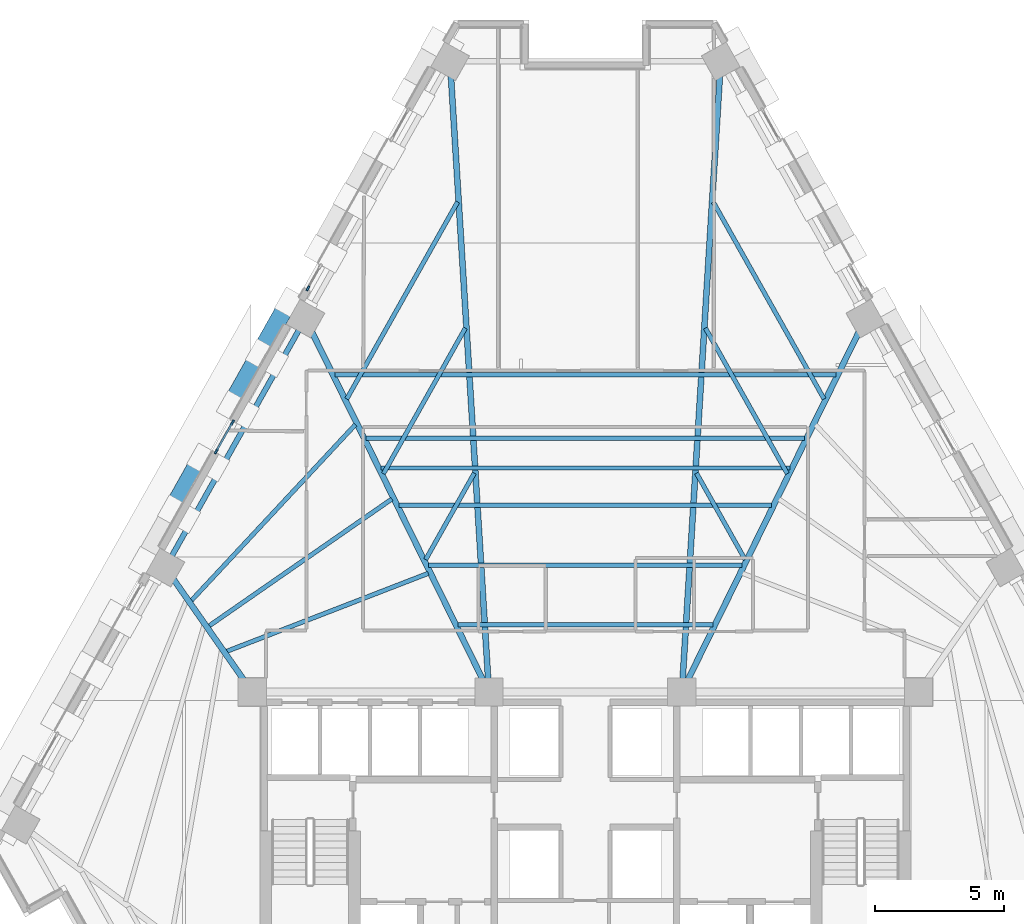
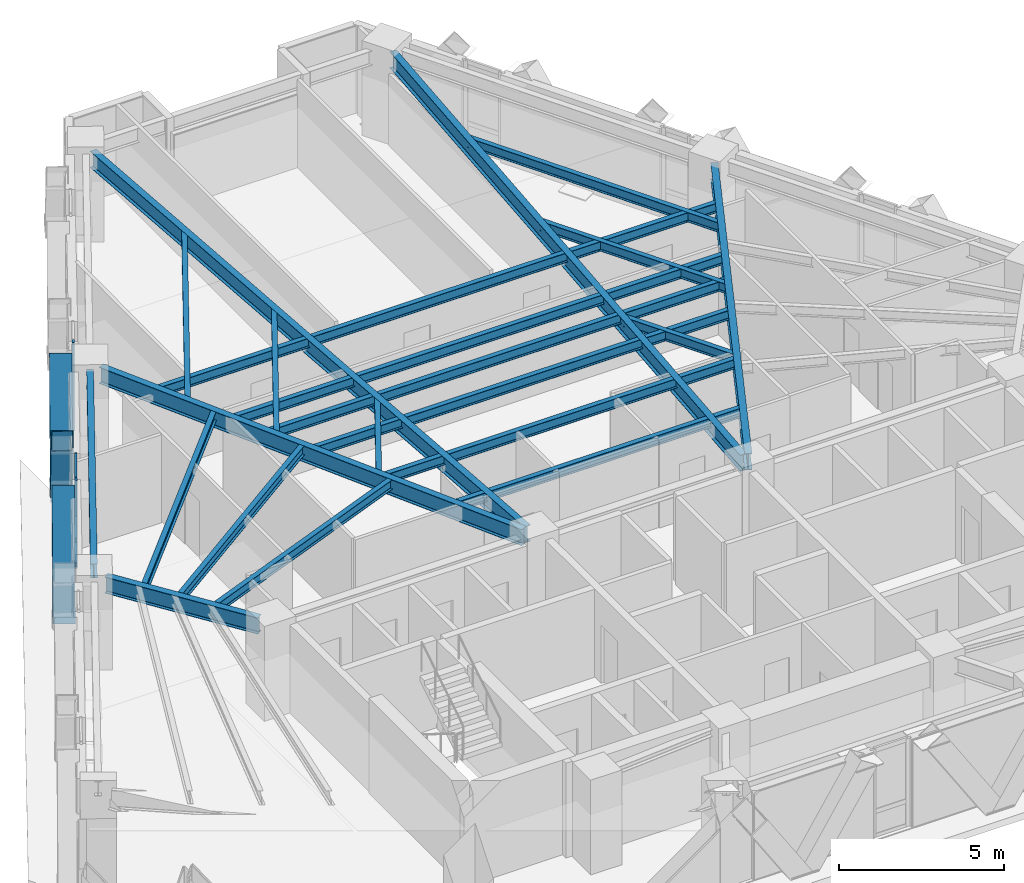
# One storey, part 3 of 13: 21 beams, 9 members, 2 elements without a shape of their own.
"""IFC4 building model written with IfcOpenShell, lengths in metres."""

from ifc_helpers import new_model, si_unit, direction, frame, origin, origin_2d, place, context, subcontext, project, spatial, rectangle, hollow_rectangle, i_section, extrude, material, material_profile, profile_set, type_object, element, aggregate, save


model = new_model("IFC4")

# Units and contexts
model_context = context("Model", 3, precision=1e-05, world=origin(), true_north=direction((0.0, 1.0)))
body_context = subcontext(model_context, "Body", "Model", "MODEL_VIEW")
ifc_project = project(units=[si_unit("LENGTHUNIT", "METRE"), si_unit("AREAUNIT", "SQUARE_METRE"), si_unit("VOLUMEUNIT", "CUBIC_METRE"), si_unit("PLANEANGLEUNIT", "RADIAN"), si_unit("MASSUNIT", "GRAM", prefix="KILO")], contexts=[model_context])

# Site, building, storey
site_placement = place(None, origin())
site = spatial("IfcSite", under=ifc_project, at=site_placement, CompositionType="ELEMENT")
building_placement = place(site_placement, origin())
building = spatial("IfcBuilding", under=site, at=building_placement, Name="Quenlor Broadcast Tower", CompositionType="ELEMENT")
storey_placement = place(building_placement, frame((0.0, 0.0, 76.60009765625)))
storey = spatial("IfcBuildingStorey", under=building, at=storey_placement, Name="L20", CompositionType="ELEMENT", Elevation=76.60009765625)

# Curtain wall, member
ifc_material_1 = material(Name="Architectural Terracotta and Low-E Glazing", Category="masonry")
curtain_wall_type = type_object("IfcCurtainWallType", Name="Unitised Terracotta Curtain Wall System Z2", PredefinedType="NOTDEFINED", material=ifc_material_1)
curtain_wall_1_placement = place(storey_placement, origin())
curtain_wall_1 = element("IfcCurtainWall", 1, at=curtain_wall_1_placement, inside=storey, type_object=curtain_wall_type, Name="L20 Curtain Wall CW2 (L20-NWC-G1)", PredefinedType="NOTDEFINED")
ifc_material_2 = material(Name="Aluminium 6063-T6", Category="aluminium")
ifc_material_profile_1 = material_profile(ifc_material_2, rectangle(XDim=0.074951171875, YDim=0.199951171875, at=origin_2d()))
ifc_profile_set_1 = profile_set([ifc_material_profile_1], Name="Aluminium 6063-T6 MULL75x200")
member_type_1 = type_object("IfcMemberType", Name="CW2 Aluminium Mullion MULL_CW2", PredefinedType="MULLION", material=ifc_profile_set_1)
member_1_placement = place(storey_placement, frame((-10.7880859375, 10.894775390625, 0.0), z_axis=(0.0, 0.0, 1.0), x_axis=(-0.871580587336, 0.490252261371, 0.0)))
member_1 = element("IfcMember", 2, at=member_1_placement, type_object=member_type_1, Name="CW2 mullion 1", PredefinedType="MULLION", context=body_context, shape_type="SweptSolid", body=[
    extrude(rectangle(XDim=0.074951171875, YDim=0.199951171875, at=origin_2d()), origin(), (0.0, 0.0, 1.0), 3.25),
])
aggregate(curtain_wall_1, [member_1])

# Curtain wall, members
curtain_wall_2_placement = place(storey_placement, origin())
curtain_wall_2 = element("IfcCurtainWall", 3, at=curtain_wall_2_placement, inside=storey, type_object=curtain_wall_type, Name="L20 Curtain Wall CW2 (L20-NW-G1)", PredefinedType="NOTDEFINED")
member_2_placement = place(storey_placement, frame((-14.3515625, 4.559814453125, 0.0), z_axis=(0.0, 0.0, 1.0), x_axis=(-0.871579452423, 0.490254279037, 0.0)))
member_2 = element("IfcMember", 4, at=member_2_placement, type_object=member_type_1, Name="CW2 mullion 1", PredefinedType="MULLION", context=body_context, shape_type="SweptSolid", body=[
    extrude(rectangle(XDim=0.074951171875, YDim=0.199951171875, at=origin_2d()), origin(), (0.0, 0.0, 1.0), 3.25),
])
member_3_placement = place(storey_placement, frame((-13.719482421875, 5.683349609375, 0.0), z_axis=(0.0, 0.0, 1.0), x_axis=(-0.871579452423, 0.490254279037, 0.0)))
member_3 = element("IfcMember", 5, at=member_3_placement, type_object=member_type_1, Name="CW2 mullion 2", PredefinedType="MULLION", context=body_context, shape_type="SweptSolid", body=[
    extrude(rectangle(XDim=0.074951171875, YDim=0.199951171875, at=origin_2d()), origin(), (0.0, 0.0, 1.0), 3.25),
])
ifc_material_3 = material(Name="Aluminium 6063-T6", Category="aluminium")
ifc_material_profile_2 = material_profile(ifc_material_3, rectangle(XDim=0.074951171875, YDim=0.1650390625, at=origin_2d()))
ifc_profile_set_2 = profile_set([ifc_material_profile_2], Name="Aluminium 6063-T6 TRAN75x165")
member_type_2 = type_object("IfcMemberType", Name="CW2 Aluminium Transom TRAN_CW2", PredefinedType="USERDEFINED", material=ifc_profile_set_2)
member_4_placement = place(storey_placement, frame((-14.333251953125, 4.592529296875, 0.037353515625), z_axis=(0.490433072585, 0.871478858788, 0.0), x_axis=(-0.871478858788, 0.490433072585, 0.0)))
member_4 = element("IfcMember", 6, at=member_4_placement, type_object=member_type_2, Name="CW2 transom 1.1", ObjectType="TRANSOM", PredefinedType="USERDEFINED", context=body_context, shape_type="SweptSolid", body=[
    extrude(rectangle(XDim=0.074951171875, YDim=0.1650390625, at=origin_2d()), origin(), (0.0, 0.0, 1.0), 1.214111328125),
])
member_5_placement = place(storey_placement, frame((-14.333251953125, 4.592529296875, 0.949951171875), z_axis=(0.490433072585, 0.871478858788, 0.0), x_axis=(-0.871478858788, 0.490433072585, 0.0)))
member_5 = element("IfcMember", 7, at=member_5_placement, type_object=member_type_2, Name="CW2 transom 1.2", ObjectType="TRANSOM", PredefinedType="USERDEFINED", context=body_context, shape_type="SweptSolid", body=[
    extrude(rectangle(XDim=0.074951171875, YDim=0.1650390625, at=origin_2d()), origin(), (0.0, 0.0, 1.0), 1.214111328125),
])
member_6_placement = place(storey_placement, frame((-14.333251953125, 4.592529296875, 3.21240234375), z_axis=(0.490433072585, 0.871478858788, 0.0), x_axis=(-0.871478858788, 0.490433072585, 0.0)))
member_6 = element("IfcMember", 8, at=member_6_placement, type_object=member_type_2, Name="CW2 transom 1.3", ObjectType="TRANSOM", PredefinedType="USERDEFINED", context=body_context, shape_type="SweptSolid", body=[
    extrude(rectangle(XDim=0.074951171875, YDim=0.1650390625, at=origin_2d()), origin(), (0.0, 0.0, 1.0), 1.214111328125),
])
aggregate(curtain_wall_2, [member_2, member_3, member_4, member_5, member_6])

# Members
ifc_material_4 = material(Name="Steel S355", Category="steel")
ifc_material_profile_3 = material_profile(ifc_material_4, hollow_rectangle(XDim=0.679931640625, YDim=0.679931640625, WallThickness=0.030029296875, at=origin_2d()))
ifc_profile_set_3 = profile_set([ifc_material_profile_3], Name="Steel S355 RHS680x680x30")
member_type_3 = type_object("IfcMemberType", Name="Perimeter Diagonal Lattice Brace Z2 Steel S355 RHS680x30", PredefinedType="BRACE", material=ifc_profile_set_3)
for number, where, z_axis, x_axis, name in (
    (9, (-16.07958984375, 2.29345703125, -0.1201171875), (0.268696511206, 0.477585438485, 0.836489290913), (-0.871532878923, 0.490337068716, 0.0), "L20 Perimeter Diamond Lattice NW-C3S"),
    (10, (-12.68017578125, 8.3369140625, -0.1201171875), (-0.268642373731, -0.477592925498, 0.83650240439), (0.871578380919, -0.490256183964, 0.0), "L20 Perimeter Diamond Lattice NW-C3B"),
):
    element("IfcMember", number, at=place(storey_placement, frame(where, z_axis=z_axis, x_axis=x_axis)), inside=storey, type_object=member_type_3, Name=name, PredefinedType="BRACE", context=body_context, shape_type="SweptSolid", body=[
        extrude(hollow_rectangle(XDim=0.679931640625, YDim=0.679931640625, WallThickness=0.030029296875, at=origin_2d()), origin(), (0.0, 0.0, 1.0), 4.18408203125),
    ])
member_7_placement = place(storey_placement, frame((-12.66650390625, 8.361083984375, -0.1201171875), z_axis=(0.268634887212, 0.477637964099, 0.83647909276), x_axis=(-0.871603971106, 0.490210686901, 0.0)))
element("IfcMember", 11, at=member_7_placement, inside=storey, type_object=member_type_3, Name="L20 Perimeter Diamond Lattice NW-C4S", PredefinedType="BRACE", context=body_context, shape_type="SweptSolid", body=[
    extrude(hollow_rectangle(XDim=0.679931640625, YDim=0.679931640625, WallThickness=0.030029296875, at=origin_2d()), origin(), (0.0, 0.0, 1.0), 4.184326171875),
])

# Beams
ifc_material_5 = material(Name="Steel S355", Category="steel")
ifc_material_profile_4 = material_profile(ifc_material_5, i_section(OverallWidth=0.208984375, OverallDepth=0.5283203125, WebThickness=0.009521484375, FlangeThickness=0.01318359375, FilletRadius=0.013916015625, at=origin_2d()))
ifc_profile_set_4 = profile_set([ifc_material_profile_4], Name="Steel S355 530UB82.0")
beam_type_1 = type_object("IfcBeamType", Name="Perimeter Spandrel Beam Z2 Steel S355 530UB82.0", PredefinedType="SPANDREL", material=ifc_profile_set_4)
beam_1_placement = place(storey_placement, frame((-11.087890625, 9.3623046875, 2.98583984375), z_axis=(-0.49026462139, -0.871573634878, 0.0), x_axis=(0.871573634878, -0.49026462139, 0.0)))
element("IfcBeam", 12, at=beam_1_placement, inside=storey, type_object=beam_type_1, Name="L20 Spandrel Beam NW2-NW3", PredefinedType="SPANDREL", context=body_context, shape_type="SweptSolid", body=[
    extrude(i_section(OverallWidth=0.208984375, OverallDepth=0.5283203125, WebThickness=0.009521484375, FlangeThickness=0.01318359375, FilletRadius=0.013916015625, at=origin_2d()), origin(), (0.0, 0.0, 1.0), 10.28271484375),
])
ifc_material_6 = material(Name="Steel S355", Category="steel")
ifc_material_profile_5 = material_profile(ifc_material_6, i_section(OverallWidth=0.172119140625, OverallDepth=0.358642578125, WebThickness=0.008056640625, FlangeThickness=0.012939453125, FilletRadius=0.011474609375, at=origin_2d()))
ifc_profile_set_5 = profile_set([ifc_material_profile_5], Name="Steel S355 360UB56.7")
beam_type_2 = type_object("IfcBeamType", Name="Tower Composite Joist Z2-Z3 Steel S355 360UB56.7", PredefinedType="JOIST", material=ifc_profile_set_5)
beam_2_placement = place(storey_placement, frame((-4.95458984375, -2.1865234375, 3.070556640625), z_axis=(1.0, 0.0, 0.0), x_axis=(0.0, 1.0, 0.0)))
element("IfcBeam", 13, at=beam_2_placement, inside=storey, type_object=beam_type_2, Name="L20 Secondary Composite Joist 1", PredefinedType="JOIST", context=body_context, shape_type="SweptSolid", body=[
    extrude(i_section(OverallWidth=0.172119140625, OverallDepth=0.358642578125, WebThickness=0.008056640625, FlangeThickness=0.012939453125, FilletRadius=0.011474609375, at=origin_2d()), origin(), (0.0, 0.0, 1.0), 9.9091796875),
])
beam_3_placement = place(storey_placement, frame((-7.9521484375, 3.911865234375, 3.070556640625), z_axis=(1.0, 0.0, 0.0), x_axis=(0.0, 1.0, 0.0)))
element("IfcBeam", 14, at=beam_3_placement, inside=storey, type_object=beam_type_2, Name="L20 Secondary Composite Joist 2", PredefinedType="JOIST", context=body_context, shape_type="SweptSolid", body=[
    extrude(i_section(OverallWidth=0.172119140625, OverallDepth=0.358642578125, WebThickness=0.008056640625, FlangeThickness=0.012939453125, FilletRadius=0.011474609375, at=origin_2d()), origin(), (0.0, 0.0, 1.0), 15.904296875),
])
beam_4_placement = place(storey_placement, frame((-6.096435546875, 0.13671875, 3.070556640625), z_axis=(1.0, 0.0, 0.0), x_axis=(0.0, 1.0, 0.0)))
element("IfcBeam", 15, at=beam_4_placement, inside=storey, type_object=beam_type_2, Name="L20 Secondary Composite Joist 3", PredefinedType="JOIST", context=body_context, shape_type="SweptSolid", body=[
    extrude(i_section(OverallWidth=0.172119140625, OverallDepth=0.358642578125, WebThickness=0.008056640625, FlangeThickness=0.012939453125, FilletRadius=0.011474609375, at=origin_2d()), origin(), (0.0, 0.0, 1.0), 12.19287109375),
])
beam_5_placement = place(storey_placement, frame((-7.238525390625, 2.4599609375, 3.070556640625), z_axis=(1.0, 0.0, 0.0), x_axis=(0.0, 1.0, 0.0)))
element("IfcBeam", 16, at=beam_5_placement, inside=storey, type_object=beam_type_2, Name="L20 Secondary Composite Joist 4", PredefinedType="JOIST", context=body_context, shape_type="SweptSolid", body=[
    extrude(i_section(OverallWidth=0.172119140625, OverallDepth=0.358642578125, WebThickness=0.008056640625, FlangeThickness=0.012939453125, FilletRadius=0.011474609375, at=origin_2d()), origin(), (0.0, 0.0, 1.0), 14.47705078125),
])
beam_6_placement = place(storey_placement, frame((-8.523193359375, 5.073486328125, 3.070556640625), z_axis=(1.0, 0.0, 0.0), x_axis=(0.0, 1.0, 0.0)))
element("IfcBeam", 17, at=beam_6_placement, inside=storey, type_object=beam_type_2, Name="L20 Secondary Composite Joist 5", PredefinedType="JOIST", context=body_context, shape_type="SweptSolid", body=[
    extrude(i_section(OverallWidth=0.172119140625, OverallDepth=0.358642578125, WebThickness=0.008056640625, FlangeThickness=0.012939453125, FilletRadius=0.011474609375, at=origin_2d()), origin(), (0.0, 0.0, 1.0), 17.04638671875),
])
beam_7_placement = place(storey_placement, frame((-9.736328125, 7.541748046875, 3.070556640625), z_axis=(1.0, 0.0, 0.0), x_axis=(0.0, 1.0, 0.0)))
element("IfcBeam", 18, at=beam_7_placement, inside=storey, type_object=beam_type_2, Name="L20 Secondary Composite Joist 6", PredefinedType="JOIST", context=body_context, shape_type="SweptSolid", body=[
    extrude(i_section(OverallWidth=0.172119140625, OverallDepth=0.358642578125, WebThickness=0.008056640625, FlangeThickness=0.012939453125, FilletRadius=0.011474609375, at=origin_2d()), origin(), (0.0, 0.0, 1.0), 19.47265625),
])
beam_8_placement = place(storey_placement, frame((-13.95703125, -3.221435546875, 3.070556640625), z_axis=(0.932542579586, 0.361060018916, 0.0), x_axis=(-0.361060018916, 0.932542579586, 0.0)))
element("IfcBeam", 19, at=beam_8_placement, inside=storey, type_object=beam_type_2, Name="L20 Secondary Composite Joist 7", PredefinedType="JOIST", context=body_context, shape_type="SweptSolid", body=[
    extrude(i_section(OverallWidth=0.172119140625, OverallDepth=0.358642578125, WebThickness=0.008056640625, FlangeThickness=0.012939453125, FilletRadius=0.011474609375, at=origin_2d()), origin(), (0.0, 0.0, 1.0), 8.416259765625),
])
beam_9_placement = place(storey_placement, frame((-14.641845703125, -2.236083984375, 3.070556640625), z_axis=(0.821385737622, 0.570373097219, 0.0), x_axis=(-0.570373097219, 0.821385737622, 0.0)))
element("IfcBeam", 20, at=beam_9_placement, inside=storey, type_object=beam_type_2, Name="L20 Secondary Composite Joist 8", PredefinedType="JOIST", context=body_context, shape_type="SweptSolid", body=[
    extrude(i_section(OverallWidth=0.172119140625, OverallDepth=0.358642578125, WebThickness=0.008056640625, FlangeThickness=0.012939453125, FilletRadius=0.011474609375, at=origin_2d()), origin(), (0.0, 0.0, 1.0), 8.662109375),
])
beam_10_placement = place(storey_placement, frame((-15.3291015625, -1.254638671875, 3.070556640625), z_axis=(0.681880655944, 0.73146344478, 0.0), x_axis=(-0.73146344478, 0.681880655944, 0.0)))
element("IfcBeam", 21, at=beam_10_placement, inside=storey, type_object=beam_type_2, Name="L20 Secondary Composite Joist 9", PredefinedType="JOIST", context=body_context, shape_type="SweptSolid", body=[
    extrude(i_section(OverallWidth=0.172119140625, OverallDepth=0.358642578125, WebThickness=0.008056640625, FlangeThickness=0.012939453125, FilletRadius=0.011474609375, at=origin_2d()), origin(), (0.0, 0.0, 1.0), 9.365234375),
])
beam_11_placement = place(storey_placement, frame((-4.318603515625, 3.7119140625, 3.070556640625), z_axis=(-0.49024921379, -0.871582301552, 0.0), x_axis=(0.871582301552, -0.49024921379, 0.0)))
element("IfcBeam", 22, at=beam_11_placement, inside=storey, type_object=beam_type_2, Name="L20 Secondary Composite Joist 25", PredefinedType="JOIST", context=body_context, shape_type="SweptSolid", body=[
    extrude(i_section(OverallWidth=0.172119140625, OverallDepth=0.358642578125, WebThickness=0.008056640625, FlangeThickness=0.012939453125, FilletRadius=0.011474609375, at=origin_2d()), origin(), (0.0, 0.0, 1.0), 3.85546875),
])
beam_12_placement = place(storey_placement, frame((-4.66650390625, 9.351318359375, 3.070556640625), z_axis=(-0.490232680913, -0.871591600789, 0.0), x_axis=(0.871591600789, -0.490232680913, 0.0)))
element("IfcBeam", 23, at=beam_12_placement, inside=storey, type_object=beam_type_2, Name="L20 Secondary Composite Joist 26", PredefinedType="JOIST", context=body_context, shape_type="SweptSolid", body=[
    extrude(i_section(OverallWidth=0.172119140625, OverallDepth=0.358642578125, WebThickness=0.008056640625, FlangeThickness=0.012939453125, FilletRadius=0.011474609375, at=origin_2d()), origin(), (0.0, 0.0, 1.0), 6.494140625),
])
beam_13_placement = place(storey_placement, frame((-4.96875, 14.255126953125, 3.070556640625), z_axis=(-0.490273109583, -0.871568860171, 0.0), x_axis=(0.871568860171, -0.490273109583, 0.0)))
element("IfcBeam", 24, at=beam_13_placement, inside=storey, type_object=beam_type_2, Name="L20 Secondary Composite Joist 27", PredefinedType="JOIST", context=body_context, shape_type="SweptSolid", body=[
    extrude(i_section(OverallWidth=0.172119140625, OverallDepth=0.358642578125, WebThickness=0.008056640625, FlangeThickness=0.012939453125, FilletRadius=0.011474609375, at=origin_2d()), origin(), (0.0, 0.0, 1.0), 8.78857421875),
])
beam_14_placement = place(storey_placement, frame((4.318603515625, 3.7119140625, 3.070556640625), z_axis=(0.49024921379, -0.871582301552, 0.0), x_axis=(0.871582301552, 0.49024921379, 0.0)))
element("IfcBeam", 25, at=beam_14_placement, inside=storey, type_object=beam_type_2, Name="L20 Secondary Composite Joist 28", PredefinedType="JOIST", context=body_context, shape_type="SweptSolid", body=[
    extrude(i_section(OverallWidth=0.172119140625, OverallDepth=0.358642578125, WebThickness=0.008056640625, FlangeThickness=0.012939453125, FilletRadius=0.011474609375, at=origin_2d()), origin(), (0.0, 0.0, 1.0), 3.85546875),
])
beam_15_placement = place(storey_placement, frame((4.66650390625, 9.351318359375, 3.070556640625), z_axis=(0.490232680913, -0.871591600789, 0.0), x_axis=(0.871591600789, 0.490232680913, 0.0)))
element("IfcBeam", 26, at=beam_15_placement, inside=storey, type_object=beam_type_2, Name="L20 Secondary Composite Joist 29", PredefinedType="JOIST", context=body_context, shape_type="SweptSolid", body=[
    extrude(i_section(OverallWidth=0.172119140625, OverallDepth=0.358642578125, WebThickness=0.008056640625, FlangeThickness=0.012939453125, FilletRadius=0.011474609375, at=origin_2d()), origin(), (0.0, 0.0, 1.0), 6.494140625),
])
beam_16_placement = place(storey_placement, frame((4.96875, 14.255126953125, 3.070556640625), z_axis=(0.490273109583, -0.871568860171, 0.0), x_axis=(0.871568860171, 0.490273109583, 0.0)))
element("IfcBeam", 27, at=beam_16_placement, inside=storey, type_object=beam_type_2, Name="L20 Secondary Composite Joist 30", PredefinedType="JOIST", context=body_context, shape_type="SweptSolid", body=[
    extrude(i_section(OverallWidth=0.172119140625, OverallDepth=0.358642578125, WebThickness=0.008056640625, FlangeThickness=0.012939453125, FilletRadius=0.011474609375, at=origin_2d()), origin(), (0.0, 0.0, 1.0), 8.78857421875),
])
ifc_material_7 = material(Name="Steel S355", Category="steel")
ifc_material_profile_6 = material_profile(ifc_material_7, i_section(OverallWidth=0.22802734375, OverallDepth=0.60205078125, WebThickness=0.010498046875, FlangeThickness=0.014892578125, FilletRadius=0.013916015625, at=origin_2d()))
ifc_profile_set_6 = profile_set([ifc_material_profile_6], Name="Steel S355 610UB101")
beam_type_3 = type_object("IfcBeamType", Name="Tower Primary Floor Beam Z2 Steel S355 610UB101", PredefinedType="BEAM", material=ifc_profile_set_6)
beam_17_placement = place(storey_placement, frame((10.7060546875, 9.351806640625, 2.948974609375), z_axis=(-0.441130328176, -0.897443053103, 0.0), x_axis=(0.897443053103, -0.441130328176, 0.0)))
element("IfcBeam", 28, at=beam_17_placement, inside=storey, type_object=beam_type_3, Name="L20 Primary Radial Beam NE3", PredefinedType="BEAM", context=body_context, shape_type="SweptSolid", body=[
    extrude(i_section(OverallWidth=0.22802734375, OverallDepth=0.60205078125, WebThickness=0.010498046875, FlangeThickness=0.014892578125, FilletRadius=0.013916015625, at=origin_2d()), origin(), (0.0, 0.0, 1.0), 15.38916015625),
])
for number, where, z_axis, x_axis, name in (
    (29, (5.237060546875, 19.309814453125, 2.948974609375), (-0.061559977358, -0.998103386022, 0.0), (0.998103386022, -0.061559977358, 0.0), "L20 Primary Radial Beam NE4"),
    (30, (-5.237060546875, 19.309814453125, 2.948974609375), (0.061559977358, -0.998103386022, 0.0), (0.998103386022, 0.061559977358, 0.0), "L20 Primary Radial Beam NW1"),
):
    element("IfcBeam", number, at=place(storey_placement, frame(where, z_axis=z_axis, x_axis=x_axis)), inside=storey, type_object=beam_type_3, Name=name, PredefinedType="BEAM", context=body_context, shape_type="SweptSolid", body=[
        extrude(i_section(OverallWidth=0.22802734375, OverallDepth=0.60205078125, WebThickness=0.010498046875, FlangeThickness=0.014892578125, FilletRadius=0.013916015625, at=origin_2d()), origin(), (0.0, 0.0, 1.0), 23.775634765625),
    ])
beam_18_placement = place(storey_placement, frame((-10.7060546875, 9.351806640625, 2.948974609375), z_axis=(0.441130328176, -0.897443053103, 0.0), x_axis=(0.897443053103, 0.441130328176, 0.0)))
element("IfcBeam", 31, at=beam_18_placement, inside=storey, type_object=beam_type_3, Name="L20 Primary Radial Beam NW2", PredefinedType="BEAM", context=body_context, shape_type="SweptSolid", body=[
    extrude(i_section(OverallWidth=0.22802734375, OverallDepth=0.60205078125, WebThickness=0.010498046875, FlangeThickness=0.014892578125, FilletRadius=0.013916015625, at=origin_2d()), origin(), (0.0, 0.0, 1.0), 15.38916015625),
])
beam_19_placement = place(storey_placement, frame((-16.095458984375, -0.293212890625, 2.948974609375), z_axis=(0.572337599985, -0.820018092266, 0.0), x_axis=(0.820018092266, 0.572337599985, 0.0)))
element("IfcBeam", 32, at=beam_19_placement, inside=storey, type_object=beam_type_3, Name="L20 Primary Radial Beam NW3", PredefinedType="BEAM", context=body_context, shape_type="SweptSolid", body=[
    extrude(i_section(OverallWidth=0.22802734375, OverallDepth=0.60205078125, WebThickness=0.010498046875, FlangeThickness=0.014892578125, FilletRadius=0.013916015625, at=origin_2d()), origin(), (0.0, 0.0, 1.0), 5.11572265625),
])

save(model, "model.ifc")
